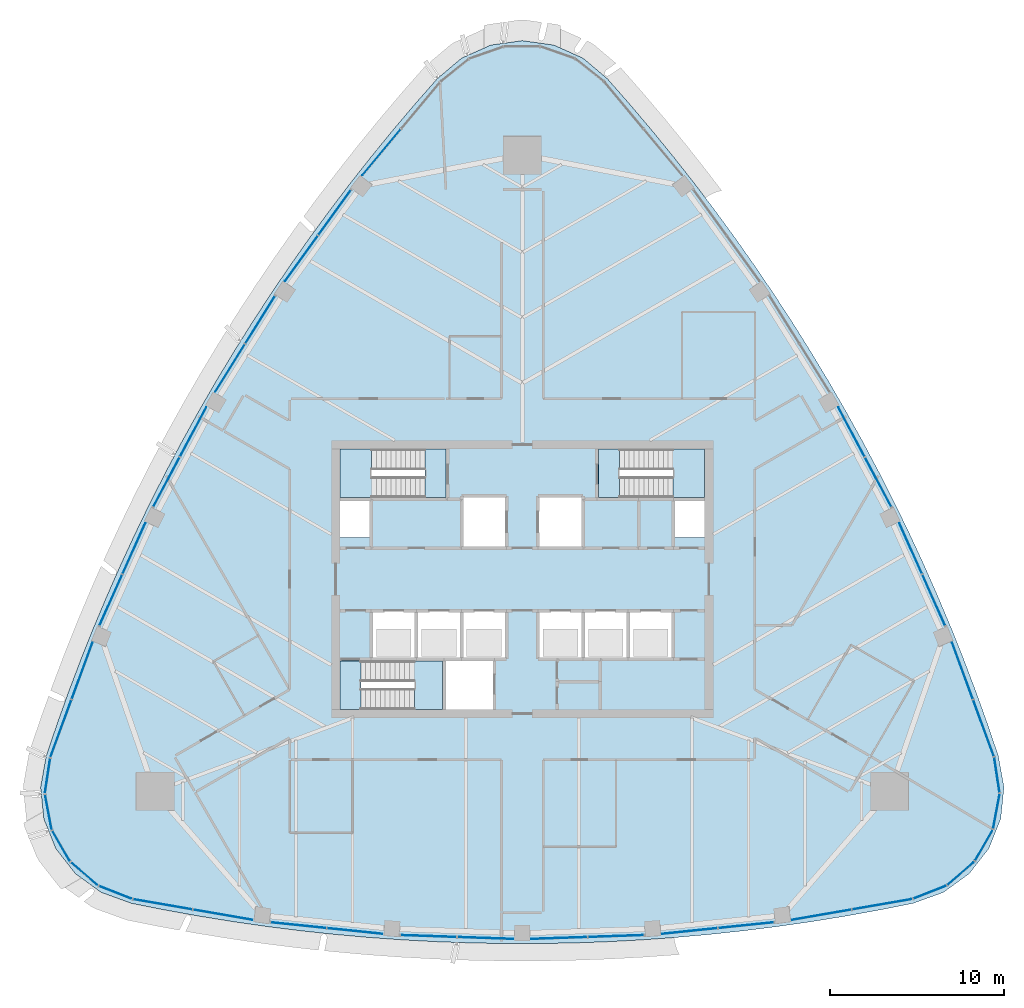
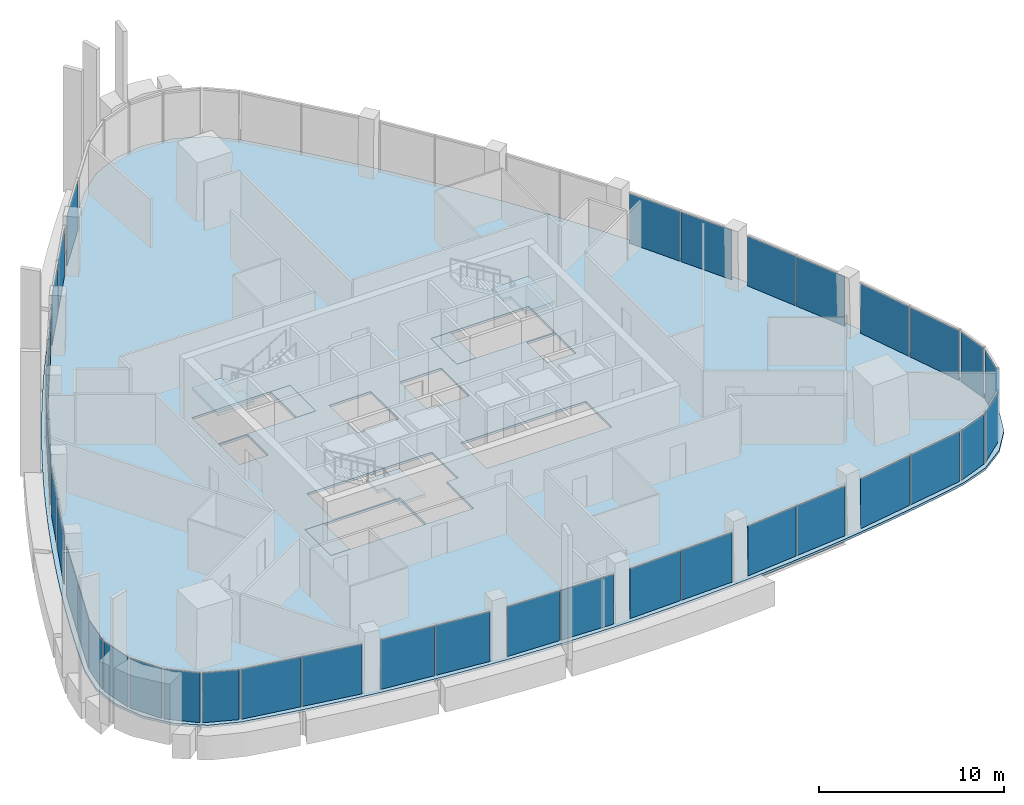
# One storey, part 7 of 16: 39 plates, 7 slabs, 28 elements without a shape of their own.
"""IFC4 building model written with IfcOpenShell, lengths in metres."""

from ifc_helpers import new_model, si_unit, direction, frame, origin, origin_2d, place, context, subcontext, project, spatial, polyline, rectangle, outline, extrude, material, layer, layer_set, type_object, element, aggregate, save


model = new_model("IFC4")

# Units and contexts
model_context = context("Model", 3, precision=1e-05, world=origin(), true_north=direction((0.0, 1.0)))
body_context = subcontext(model_context, "Body", "Model", "MODEL_VIEW")
ifc_project = project(units=[si_unit("LENGTHUNIT", "METRE"), si_unit("AREAUNIT", "SQUARE_METRE"), si_unit("VOLUMEUNIT", "CUBIC_METRE"), si_unit("PLANEANGLEUNIT", "RADIAN"), si_unit("MASSUNIT", "GRAM", prefix="KILO")], contexts=[model_context])

# Site, building, storey
site_placement = place(None, origin())
site = spatial("IfcSite", under=ifc_project, at=site_placement, CompositionType="ELEMENT")
building_placement = place(site_placement, origin())
building = spatial("IfcBuilding", under=site, at=building_placement, Name="Sierra Prisma Convention Tower", CompositionType="ELEMENT")
storey_placement = place(building_placement, frame((0.0, 0.0, 271.0)))
storey = spatial("IfcBuildingStorey", under=building, at=storey_placement, Name="L61", CompositionType="ELEMENT", Elevation=271.0)

# Curtain wall, plates
ifc_material_1 = material(Name="Aluminium and glass curtain wall", Category="aluminium")
ifc_layer_1 = layer(ifc_material_1, 0.179931640625)
ifc_layer_set_1 = layer_set([ifc_layer_1], Name="CW-1 Plain shaft curtain wall")
curtain_wall_type = type_object("IfcCurtainWallType", Name="CW-1 Plain shaft curtain wall", PredefinedType="NOTDEFINED", material=ifc_layer_set_1)
curtain_wall_1_placement = place(storey_placement, origin())
curtain_wall_1 = element("IfcCurtainWall", 1, at=curtain_wall_1_placement, inside=storey, type_object=curtain_wall_type, Name="CW-1 S1 L61", PredefinedType="NOTDEFINED")
ifc_material_2 = material(Name="Tinted glass bronze-grey IGU", Category="glass")
ifc_layer_2 = layer(ifc_material_2, 0.028076171875)
ifc_layer_set_2 = layer_set([ifc_layer_2], Name="CW-1 glass panel")
plate_type = type_object("IfcPlateType", Name="CW-1 glass panel", PredefinedType="CURTAIN_PANEL", material=ifc_layer_set_2)
plate_1_placement = place(storey_placement, frame((-20.705810546875, -18.720703125, 0.0), z_axis=(0.0, 0.0, 1.0), x_axis=(0.985325957492, -0.170683207997, 0.0)))
plate_1 = element("IfcPlate", 2, at=plate_1_placement, type_object=plate_type, Name="CW-1 panel S1.1", PredefinedType="CURTAIN_PANEL", context=body_context, shape_type="SweptSolid", body=[
    extrude(rectangle(XDim=3.44091796875, YDim=0.028076171875, at=origin_2d()), origin(), (0.0, 0.0, 1.0), 3.280029296875),
])
plate_2_placement = place(storey_placement, frame((-17.246337890625, -19.31982421875, 0.0), z_axis=(0.0, 0.0, 1.0), x_axis=(0.985325957492, -0.170683207997, 0.0)))
plate_2 = element("IfcPlate", 3, at=plate_2_placement, type_object=plate_type, Name="CW-1 panel S1.2", PredefinedType="CURTAIN_PANEL", context=body_context, shape_type="SweptSolid", body=[
    extrude(rectangle(XDim=3.44091796875, YDim=0.028076171875, at=origin_2d()), origin(), (0.0, 0.0, 1.0), 3.280029296875),
])
aggregate(curtain_wall_1, [plate_1, plate_2])

curtain_wall_2_placement = place(storey_placement, origin())
curtain_wall_2 = element("IfcCurtainWall", 4, at=curtain_wall_2_placement, inside=storey, type_object=curtain_wall_type, Name="CW-1 S2 L61", PredefinedType="NOTDEFINED")
plate_3_placement = place(storey_placement, frame((-12.889404296875, -19.92431640625, 0.0), z_axis=(0.0, 0.0, 1.0), x_axis=(0.994709046542, -0.102732238011, 0.0)))
plate_3 = element("IfcPlate", 5, at=plate_3_placement, type_object=plate_type, Name="CW-1 panel S2.1", PredefinedType="CURTAIN_PANEL", context=body_context, shape_type="SweptSolid", body=[
    extrude(rectangle(XDim=3.19384765625, YDim=0.028076171875, at=origin_2d()), origin(), (0.0, 0.0, 1.0), 3.280029296875),
])
plate_4_placement = place(storey_placement, frame((-9.642822265625, -20.259521484375, 0.0), z_axis=(0.0, 0.0, 1.0), x_axis=(0.994709046542, -0.102732238011, 0.0)))
plate_4 = element("IfcPlate", 6, at=plate_4_placement, type_object=plate_type, Name="CW-1 panel S2.2", PredefinedType="CURTAIN_PANEL", context=body_context, shape_type="SweptSolid", body=[
    extrude(rectangle(XDim=3.19384765625, YDim=0.028076171875, at=origin_2d()), origin(), (0.0, 0.0, 1.0), 3.280029296875),
])
aggregate(curtain_wall_2, [plate_3, plate_4])

curtain_wall_3_placement = place(storey_placement, origin())
curtain_wall_3 = element("IfcCurtainWall", 7, at=curtain_wall_3_placement, inside=storey, type_object=curtain_wall_type, Name="CW-1 S3 L61", PredefinedType="NOTDEFINED")
plate_5_placement = place(storey_placement, frame((-5.4013671875, -20.55029296875, 0.0), z_axis=(0.0, 0.0, 1.0), x_axis=(0.999411654839, -0.034297874149, 0.0)))
plate_5 = element("IfcPlate", 8, at=plate_5_placement, type_object=plate_type, Name="CW-1 panel S3.1", PredefinedType="CURTAIN_PANEL", context=body_context, shape_type="SweptSolid", body=[
    extrude(rectangle(XDim=3.209716796875, YDim=0.028076171875, at=origin_2d()), origin(), (0.0, 0.0, 1.0), 3.280029296875),
])
plate_6_placement = place(storey_placement, frame((-2.12353515625, -20.662841796875, 0.0), z_axis=(0.0, 0.0, 1.0), x_axis=(0.999411654839, -0.034297874149, 0.0)))
plate_6 = element("IfcPlate", 9, at=plate_6_placement, type_object=plate_type, Name="CW-1 panel S3.2", PredefinedType="CURTAIN_PANEL", context=body_context, shape_type="SweptSolid", body=[
    extrude(rectangle(XDim=3.209716796875, YDim=0.028076171875, at=origin_2d()), origin(), (0.0, 0.0, 1.0), 3.280029296875),
])
aggregate(curtain_wall_3, [plate_5, plate_6])

curtain_wall_4_placement = place(storey_placement, origin())
curtain_wall_4 = element("IfcCurtainWall", 10, at=curtain_wall_4_placement, inside=storey, type_object=curtain_wall_type, Name="CW-1 S4 L61", PredefinedType="NOTDEFINED")
plate_7_placement = place(storey_placement, frame((2.12353515625, -20.662841796875, 0.0), z_axis=(0.0, 0.0, 1.0), x_axis=(0.999411654839, 0.034297874149, 0.0)))
plate_7 = element("IfcPlate", 11, at=plate_7_placement, type_object=plate_type, Name="CW-1 panel S4.1", PredefinedType="CURTAIN_PANEL", context=body_context, shape_type="SweptSolid", body=[
    extrude(rectangle(XDim=3.209716796875, YDim=0.028076171875, at=origin_2d()), origin(), (0.0, 0.0, 1.0), 3.280029296875),
])
plate_8_placement = place(storey_placement, frame((5.4013671875, -20.55029296875, 0.0), z_axis=(0.0, 0.0, 1.0), x_axis=(0.999411654839, 0.034297874149, 0.0)))
plate_8 = element("IfcPlate", 12, at=plate_8_placement, type_object=plate_type, Name="CW-1 panel S4.2", PredefinedType="CURTAIN_PANEL", context=body_context, shape_type="SweptSolid", body=[
    extrude(rectangle(XDim=3.209716796875, YDim=0.028076171875, at=origin_2d()), origin(), (0.0, 0.0, 1.0), 3.280029296875),
])
aggregate(curtain_wall_4, [plate_7, plate_8])

curtain_wall_5_placement = place(storey_placement, origin())
curtain_wall_5 = element("IfcCurtainWall", 13, at=curtain_wall_5_placement, inside=storey, type_object=curtain_wall_type, Name="CW-1 S5 L61", PredefinedType="NOTDEFINED")
plate_9_placement = place(storey_placement, frame((9.642822265625, -20.259521484375, 0.0), z_axis=(0.0, 0.0, 1.0), x_axis=(0.994709046542, 0.102732238011, 0.0)))
plate_9 = element("IfcPlate", 14, at=plate_9_placement, type_object=plate_type, Name="CW-1 panel S5.1", PredefinedType="CURTAIN_PANEL", context=body_context, shape_type="SweptSolid", body=[
    extrude(rectangle(XDim=3.19384765625, YDim=0.028076171875, at=origin_2d()), origin(), (0.0, 0.0, 1.0), 3.280029296875),
])
plate_10_placement = place(storey_placement, frame((12.889404296875, -19.92431640625, 0.0), z_axis=(0.0, 0.0, 1.0), x_axis=(0.994709046542, 0.102732238011, 0.0)))
plate_10 = element("IfcPlate", 15, at=plate_10_placement, type_object=plate_type, Name="CW-1 panel S5.2", PredefinedType="CURTAIN_PANEL", context=body_context, shape_type="SweptSolid", body=[
    extrude(rectangle(XDim=3.19384765625, YDim=0.028076171875, at=origin_2d()), origin(), (0.0, 0.0, 1.0), 3.280029296875),
])
aggregate(curtain_wall_5, [plate_9, plate_10])

curtain_wall_6_placement = place(storey_placement, origin())
curtain_wall_6 = element("IfcCurtainWall", 16, at=curtain_wall_6_placement, inside=storey, type_object=curtain_wall_type, Name="CW-1 S6 L61", PredefinedType="NOTDEFINED")
plate_11_placement = place(storey_placement, frame((17.246337890625, -19.31982421875, 0.0), z_axis=(0.0, 0.0, 1.0), x_axis=(0.985325957492, 0.170683207997, 0.0)))
plate_11 = element("IfcPlate", 17, at=plate_11_placement, type_object=plate_type, Name="CW-1 panel S6.1", PredefinedType="CURTAIN_PANEL", context=body_context, shape_type="SweptSolid", body=[
    extrude(rectangle(XDim=3.44091796875, YDim=0.028076171875, at=origin_2d()), origin(), (0.0, 0.0, 1.0), 3.280029296875),
])
plate_12_placement = place(storey_placement, frame((20.705810546875, -18.720703125, 0.0), z_axis=(0.0, 0.0, 1.0), x_axis=(0.985325957492, 0.170683207997, 0.0)))
plate_12 = element("IfcPlate", 18, at=plate_12_placement, type_object=plate_type, Name="CW-1 panel S6.2", PredefinedType="CURTAIN_PANEL", context=body_context, shape_type="SweptSolid", body=[
    extrude(rectangle(XDim=3.44091796875, YDim=0.028076171875, at=origin_2d()), origin(), (0.0, 0.0, 1.0), 3.280029296875),
])
aggregate(curtain_wall_6, [plate_11, plate_12])

# Curtain wall, plate
curtain_wall_7_placement = place(storey_placement, origin())
curtain_wall_7 = element("IfcCurtainWall", 19, at=curtain_wall_7_placement, inside=storey, type_object=curtain_wall_type, Name="CW-1 SE1 L61", PredefinedType="NOTDEFINED")
plate_13_placement = place(storey_placement, frame((23.455322265625, -18.028076171875, 0.0), z_axis=(0.0, 0.0, 1.0), x_axis=(0.930836305554, 0.365436413434, 0.0)))
plate_13 = element("IfcPlate", 20, at=plate_13_placement, type_object=plate_type, Name="CW-1 panel SE1.1", PredefinedType="CURTAIN_PANEL", context=body_context, shape_type="SweptSolid", body=[
    extrude(rectangle(XDim=1.9775390625, YDim=0.028076171875, at=origin_2d()), origin(), (0.0, 0.0, 1.0), 3.280029296875),
])
aggregate(curtain_wall_7, [plate_13])

curtain_wall_8_placement = place(storey_placement, origin())
curtain_wall_8 = element("IfcCurtainWall", 21, at=curtain_wall_8_placement, inside=storey, type_object=curtain_wall_type, Name="CW-1 SE2 L61", PredefinedType="NOTDEFINED")
plate_14_placement = place(storey_placement, frame((25.2431640625, -16.95068359375, 0.0), z_axis=(0.0, 0.0, 1.0), x_axis=(0.757938300686, 0.652326246869, 0.0)))
plate_14 = element("IfcPlate", 22, at=plate_14_placement, type_object=plate_type, Name="CW-1 panel SE2.1", PredefinedType="CURTAIN_PANEL", context=body_context, shape_type="SweptSolid", body=[
    extrude(rectangle(XDim=1.9775390625, YDim=0.028076171875, at=origin_2d()), origin(), (0.0, 0.0, 1.0), 3.280029296875),
])
aggregate(curtain_wall_8, [plate_14])

curtain_wall_9_placement = place(storey_placement, origin())
curtain_wall_9 = element("IfcCurtainWall", 23, at=curtain_wall_9_placement, inside=storey, type_object=curtain_wall_type, Name="CW-1 SE3 L61", PredefinedType="NOTDEFINED")
plate_15_placement = place(storey_placement, frame((26.5751953125, -15.343017578125, 0.0), z_axis=(0.0, 0.0, 1.0), x_axis=(0.5, 0.866025403784, 0.0)))
plate_15 = element("IfcPlate", 24, at=plate_15_placement, type_object=plate_type, Name="CW-1 panel SE3.1", PredefinedType="CURTAIN_PANEL", context=body_context, shape_type="SweptSolid", body=[
    extrude(rectangle(XDim=1.9775390625, YDim=0.028076171875, at=origin_2d()), origin(), (0.0, 0.0, 1.0), 3.280029296875),
])
aggregate(curtain_wall_9, [plate_15])

curtain_wall_10_placement = place(storey_placement, origin())
curtain_wall_10 = element("IfcCurtainWall", 25, at=curtain_wall_10_placement, inside=storey, type_object=curtain_wall_type, Name="CW-1 SE4 L61", PredefinedType="NOTDEFINED")
plate_16_placement = place(storey_placement, frame((27.30126953125, -13.385986328125, 0.0), z_axis=(0.0, 0.0, 1.0), x_axis=(0.185961951001, 0.982556946329, 0.0)))
plate_16 = element("IfcPlate", 26, at=plate_16_placement, type_object=plate_type, Name="CW-1 panel SE4.1", PredefinedType="CURTAIN_PANEL", context=body_context, shape_type="SweptSolid", body=[
    extrude(rectangle(XDim=1.9775390625, YDim=0.028076171875, at=origin_2d()), origin(), (0.0, 0.0, 1.0), 3.280029296875),
])
aggregate(curtain_wall_10, [plate_16])

curtain_wall_11_placement = place(storey_placement, origin())
curtain_wall_11 = element("IfcCurtainWall", 27, at=curtain_wall_11_placement, inside=storey, type_object=curtain_wall_type, Name="CW-1 SE5 L61", PredefinedType="NOTDEFINED")
plate_17_placement = place(storey_placement, frame((27.340576171875, -11.298828125, 0.0), z_axis=(0.0, 0.0, 1.0), x_axis=(-0.148940935275, 0.988846094091, 0.0)))
plate_17 = element("IfcPlate", 28, at=plate_17_placement, type_object=plate_type, Name="CW-1 panel SE5.1", PredefinedType="CURTAIN_PANEL", context=body_context, shape_type="SweptSolid", body=[
    extrude(rectangle(XDim=1.9775390625, YDim=0.028076171875, at=origin_2d()), origin(), (0.0, 0.0, 1.0), 3.280029296875),
])
aggregate(curtain_wall_11, [plate_17])

# Curtain wall, plates
curtain_wall_12_placement = place(storey_placement, origin())
curtain_wall_12 = element("IfcCurtainWall", 29, at=curtain_wall_12_placement, inside=storey, type_object=curtain_wall_type, Name="CW-1 NE1 L61", PredefinedType="NOTDEFINED")
plate_18_placement = place(storey_placement, frame((26.5654296875, -8.5712890625, 0.0), z_axis=(0.0, 0.0, 1.0), x_axis=(-0.344846984621, 0.938658914195, 0.0)))
plate_18 = element("IfcPlate", 30, at=plate_18_placement, type_object=plate_type, Name="CW-1 panel NE1.1", PredefinedType="CURTAIN_PANEL", context=body_context, shape_type="SweptSolid", body=[
    extrude(rectangle(XDim=3.44091796875, YDim=0.028076171875, at=origin_2d()), origin(), (0.0, 0.0, 1.0), 3.280029296875),
])
plate_19_placement = place(storey_placement, frame((25.354736328125, -5.27587890625, 0.0), z_axis=(0.0, 0.0, 1.0), x_axis=(-0.344846984621, 0.938658914195, 0.0)))
plate_19 = element("IfcPlate", 31, at=plate_19_placement, type_object=plate_type, Name="CW-1 panel NE1.2", PredefinedType="CURTAIN_PANEL", context=body_context, shape_type="SweptSolid", body=[
    extrude(rectangle(XDim=3.44091796875, YDim=0.028076171875, at=origin_2d()), origin(), (0.0, 0.0, 1.0), 3.280029296875),
])
aggregate(curtain_wall_12, [plate_18, plate_19])

curtain_wall_13_placement = place(storey_placement, origin())
curtain_wall_13 = element("IfcCurtainWall", 32, at=curtain_wall_13_placement, inside=storey, type_object=curtain_wall_type, Name="CW-1 NE2 L61", PredefinedType="NOTDEFINED")
plate_20_placement = place(storey_placement, frame((23.69970703125, -1.20068359375, 0.0), z_axis=(0.0, 0.0, 1.0), x_axis=(-0.408385795366, 0.912809422686, 0.0)))
plate_20 = element("IfcPlate", 33, at=plate_20_placement, type_object=plate_type, Name="CW-1 panel NE2.1", PredefinedType="CURTAIN_PANEL", context=body_context, shape_type="SweptSolid", body=[
    extrude(rectangle(XDim=3.19384765625, YDim=0.028076171875, at=origin_2d()), origin(), (0.0, 0.0, 1.0), 3.280029296875),
])
plate_21_placement = place(storey_placement, frame((22.36669921875, 1.77880859375, 0.0), z_axis=(0.0, 0.0, 1.0), x_axis=(-0.408385795366, 0.912809422686, 0.0)))
plate_21 = element("IfcPlate", 34, at=plate_21_placement, type_object=plate_type, Name="CW-1 panel NE2.2", PredefinedType="CURTAIN_PANEL", context=body_context, shape_type="SweptSolid", body=[
    extrude(rectangle(XDim=3.19384765625, YDim=0.028076171875, at=origin_2d()), origin(), (0.0, 0.0, 1.0), 3.280029296875),
])
aggregate(curtain_wall_13, [plate_20, plate_21])

curtain_wall_14_placement = place(storey_placement, origin())
curtain_wall_14 = element("IfcCurtainWall", 35, at=curtain_wall_14_placement, inside=storey, type_object=curtain_wall_type, Name="CW-1 NE3 L61", PredefinedType="NOTDEFINED")
plate_22_placement = place(storey_placement, frame((20.497802734375, 5.597412109375, 0.0), z_axis=(0.0, 0.0, 1.0), x_axis=(-0.470002997111, 0.882664819004, 0.0)))
plate_22 = element("IfcPlate", 36, at=plate_22_placement, type_object=plate_type, Name="CW-1 panel NE3.1", PredefinedType="CURTAIN_PANEL", context=body_context, shape_type="SweptSolid", body=[
    extrude(rectangle(XDim=3.209716796875, YDim=0.028076171875, at=origin_2d()), origin(), (0.0, 0.0, 1.0), 3.280029296875),
])
plate_23_placement = place(storey_placement, frame((18.956298828125, 8.4921875, 0.0), z_axis=(0.0, 0.0, 1.0), x_axis=(-0.470002997111, 0.882664819004, 0.0)))
plate_23 = element("IfcPlate", 37, at=plate_23_placement, type_object=plate_type, Name="CW-1 panel NE3.2", PredefinedType="CURTAIN_PANEL", context=body_context, shape_type="SweptSolid", body=[
    extrude(rectangle(XDim=3.209716796875, YDim=0.028076171875, at=origin_2d()), origin(), (0.0, 0.0, 1.0), 3.280029296875),
])
aggregate(curtain_wall_14, [plate_22, plate_23])

# Curtain wall, plate
curtain_wall_15_placement = place(storey_placement, origin())
curtain_wall_15 = element("IfcCurtainWall", 38, at=curtain_wall_15_placement, inside=storey, type_object=curtain_wall_type, Name="CW-1 NW1 L61", PredefinedType="NOTDEFINED")
plate_24_placement = place(storey_placement, frame((-8.1083984375, 24.595703125, 0.0), z_axis=(0.0, 0.0, 1.0), x_axis=(-0.640478972871, -0.767975706198, 0.0)))
plate_24 = element("IfcPlate", 39, at=plate_24_placement, type_object=plate_type, Name="CW-1 panel NW1.2", PredefinedType="CURTAIN_PANEL", context=body_context, shape_type="SweptSolid", body=[
    extrude(rectangle(XDim=3.44091796875, YDim=0.028076171875, at=origin_2d()), origin(), (0.0, 0.0, 1.0), 3.280029296875),
])
aggregate(curtain_wall_15, [plate_24])

# Curtain wall, plates
curtain_wall_16_placement = place(storey_placement, origin())
curtain_wall_16 = element("IfcCurtainWall", 40, at=curtain_wall_16_placement, inside=storey, type_object=curtain_wall_type, Name="CW-1 NW2 L61", PredefinedType="NOTDEFINED")
plate_25_placement = place(storey_placement, frame((-10.810302734375, 21.124755859375, 0.0), z_axis=(0.0, 0.0, 1.0), x_axis=(-0.586323251177, -0.810077184674, 0.0)))
plate_25 = element("IfcPlate", 41, at=plate_25_placement, type_object=plate_type, Name="CW-1 panel NW2.1", PredefinedType="CURTAIN_PANEL", context=body_context, shape_type="SweptSolid", body=[
    extrude(rectangle(XDim=3.19384765625, YDim=0.028076171875, at=origin_2d()), origin(), (0.0, 0.0, 1.0), 3.280029296875),
])
plate_26_placement = place(storey_placement, frame((-12.723876953125, 18.480712890625, 0.0), z_axis=(0.0, 0.0, 1.0), x_axis=(-0.586323251177, -0.810077184674, 0.0)))
plate_26 = element("IfcPlate", 42, at=plate_26_placement, type_object=plate_type, Name="CW-1 panel NW2.2", PredefinedType="CURTAIN_PANEL", context=body_context, shape_type="SweptSolid", body=[
    extrude(rectangle(XDim=3.19384765625, YDim=0.028076171875, at=origin_2d()), origin(), (0.0, 0.0, 1.0), 3.280029296875),
])
aggregate(curtain_wall_16, [plate_25, plate_26])

curtain_wall_17_placement = place(storey_placement, origin())
curtain_wall_17 = element("IfcCurtainWall", 43, at=curtain_wall_17_placement, inside=storey, type_object=curtain_wall_type, Name="CW-1 NW3 L61", PredefinedType="NOTDEFINED")
plate_27_placement = place(storey_placement, frame((-15.096435546875, 14.952880859375, 0.0), z_axis=(0.0, 0.0, 1.0), x_axis=(-0.529408657728, -0.848366944855, 0.0)))
plate_27 = element("IfcPlate", 44, at=plate_27_placement, type_object=plate_type, Name="CW-1 panel NW3.1", PredefinedType="CURTAIN_PANEL", context=body_context, shape_type="SweptSolid", body=[
    extrude(rectangle(XDim=3.209716796875, YDim=0.028076171875, at=origin_2d()), origin(), (0.0, 0.0, 1.0), 3.280029296875),
])
plate_28_placement = place(storey_placement, frame((-16.832763671875, 12.17041015625, 0.0), z_axis=(0.0, 0.0, 1.0), x_axis=(-0.529408657728, -0.848366944855, 0.0)))
plate_28 = element("IfcPlate", 45, at=plate_28_placement, type_object=plate_type, Name="CW-1 panel NW3.2", PredefinedType="CURTAIN_PANEL", context=body_context, shape_type="SweptSolid", body=[
    extrude(rectangle(XDim=3.209716796875, YDim=0.028076171875, at=origin_2d()), origin(), (0.0, 0.0, 1.0), 3.280029296875),
])
aggregate(curtain_wall_17, [plate_27, plate_28])

curtain_wall_18_placement = place(storey_placement, origin())
curtain_wall_18 = element("IfcCurtainWall", 46, at=curtain_wall_18_placement, inside=storey, type_object=curtain_wall_type, Name="CW-1 NW4 L61", PredefinedType="NOTDEFINED")
plate_29_placement = place(storey_placement, frame((-18.956298828125, 8.492431640625, 0.0), z_axis=(0.0, 0.0, 1.0), x_axis=(-0.470002997111, -0.882664819004, 0.0)))
plate_29 = element("IfcPlate", 47, at=plate_29_placement, type_object=plate_type, Name="CW-1 panel NW4.1", PredefinedType="CURTAIN_PANEL", context=body_context, shape_type="SweptSolid", body=[
    extrude(rectangle(XDim=3.209716796875, YDim=0.028076171875, at=origin_2d()), origin(), (0.0, 0.0, 1.0), 3.280029296875),
])
plate_30_placement = place(storey_placement, frame((-20.497802734375, 5.597412109375, 0.0), z_axis=(0.0, 0.0, 1.0), x_axis=(-0.470002997111, -0.882664819004, 0.0)))
plate_30 = element("IfcPlate", 48, at=plate_30_placement, type_object=plate_type, Name="CW-1 panel NW4.2", PredefinedType="CURTAIN_PANEL", context=body_context, shape_type="SweptSolid", body=[
    extrude(rectangle(XDim=3.209716796875, YDim=0.028076171875, at=origin_2d()), origin(), (0.0, 0.0, 1.0), 3.280029296875),
])
aggregate(curtain_wall_18, [plate_29, plate_30])

curtain_wall_19_placement = place(storey_placement, origin())
curtain_wall_19 = element("IfcCurtainWall", 49, at=curtain_wall_19_placement, inside=storey, type_object=curtain_wall_type, Name="CW-1 NW5 L61", PredefinedType="NOTDEFINED")
plate_31_placement = place(storey_placement, frame((-22.36669921875, 1.77880859375, 0.0), z_axis=(0.0, 0.0, 1.0), x_axis=(-0.408385795366, -0.912809422686, 0.0)))
plate_31 = element("IfcPlate", 50, at=plate_31_placement, type_object=plate_type, Name="CW-1 panel NW5.1", PredefinedType="CURTAIN_PANEL", context=body_context, shape_type="SweptSolid", body=[
    extrude(rectangle(XDim=3.19384765625, YDim=0.028076171875, at=origin_2d()), origin(), (0.0, 0.0, 1.0), 3.280029296875),
])
plate_32_placement = place(storey_placement, frame((-23.69970703125, -1.200439453125, 0.0), z_axis=(0.0, 0.0, 1.0), x_axis=(-0.408385795366, -0.912809422686, 0.0)))
plate_32 = element("IfcPlate", 51, at=plate_32_placement, type_object=plate_type, Name="CW-1 panel NW5.2", PredefinedType="CURTAIN_PANEL", context=body_context, shape_type="SweptSolid", body=[
    extrude(rectangle(XDim=3.19384765625, YDim=0.028076171875, at=origin_2d()), origin(), (0.0, 0.0, 1.0), 3.280029296875),
])
aggregate(curtain_wall_19, [plate_31, plate_32])

curtain_wall_20_placement = place(storey_placement, origin())
curtain_wall_20 = element("IfcCurtainWall", 52, at=curtain_wall_20_placement, inside=storey, type_object=curtain_wall_type, Name="CW-1 NW6 L61", PredefinedType="NOTDEFINED")
plate_33_placement = place(storey_placement, frame((-25.354736328125, -5.27587890625, 0.0), z_axis=(0.0, 0.0, 1.0), x_axis=(-0.344846984621, -0.938658914195, 0.0)))
plate_33 = element("IfcPlate", 53, at=plate_33_placement, type_object=plate_type, Name="CW-1 panel NW6.1", PredefinedType="CURTAIN_PANEL", context=body_context, shape_type="SweptSolid", body=[
    extrude(rectangle(XDim=3.44091796875, YDim=0.028076171875, at=origin_2d()), origin(), (0.0, 0.0, 1.0), 3.280029296875),
])
plate_34_placement = place(storey_placement, frame((-26.5654296875, -8.5712890625, 0.0), z_axis=(0.0, 0.0, 1.0), x_axis=(-0.344846984621, -0.938658914195, 0.0)))
plate_34 = element("IfcPlate", 54, at=plate_34_placement, type_object=plate_type, Name="CW-1 panel NW6.2", PredefinedType="CURTAIN_PANEL", context=body_context, shape_type="SweptSolid", body=[
    extrude(rectangle(XDim=3.44091796875, YDim=0.028076171875, at=origin_2d()), origin(), (0.0, 0.0, 1.0), 3.280029296875),
])
aggregate(curtain_wall_20, [plate_33, plate_34])

# Curtain wall, plate
curtain_wall_21_placement = place(storey_placement, origin())
curtain_wall_21 = element("IfcCurtainWall", 55, at=curtain_wall_21_placement, inside=storey, type_object=curtain_wall_type, Name="CW-1 SW1 L61", PredefinedType="NOTDEFINED")
plate_35_placement = place(storey_placement, frame((-27.340576171875, -11.298828125, 0.0), z_axis=(0.0, 0.0, 1.0), x_axis=(-0.148940935275, -0.988846094091, 0.0)))
plate_35 = element("IfcPlate", 56, at=plate_35_placement, type_object=plate_type, Name="CW-1 panel SW1.1", PredefinedType="CURTAIN_PANEL", context=body_context, shape_type="SweptSolid", body=[
    extrude(rectangle(XDim=1.9775390625, YDim=0.028076171875, at=origin_2d()), origin(), (0.0, 0.0, 1.0), 3.280029296875),
])
aggregate(curtain_wall_21, [plate_35])

curtain_wall_22_placement = place(storey_placement, origin())
curtain_wall_22 = element("IfcCurtainWall", 57, at=curtain_wall_22_placement, inside=storey, type_object=curtain_wall_type, Name="CW-1 SW2 L61", PredefinedType="NOTDEFINED")
plate_36_placement = place(storey_placement, frame((-27.30126953125, -13.385986328125, 0.0), z_axis=(0.0, 0.0, 1.0), x_axis=(0.185961951001, -0.982556946329, 0.0)))
plate_36 = element("IfcPlate", 58, at=plate_36_placement, type_object=plate_type, Name="CW-1 panel SW2.1", PredefinedType="CURTAIN_PANEL", context=body_context, shape_type="SweptSolid", body=[
    extrude(rectangle(XDim=1.9775390625, YDim=0.028076171875, at=origin_2d()), origin(), (0.0, 0.0, 1.0), 3.280029296875),
])
aggregate(curtain_wall_22, [plate_36])

curtain_wall_23_placement = place(storey_placement, origin())
curtain_wall_23 = element("IfcCurtainWall", 59, at=curtain_wall_23_placement, inside=storey, type_object=curtain_wall_type, Name="CW-1 SW3 L61", PredefinedType="NOTDEFINED")
plate_37_placement = place(storey_placement, frame((-26.5751953125, -15.343017578125, 0.0), z_axis=(0.0, 0.0, 1.0), x_axis=(0.5, -0.866025403784, 0.0)))
plate_37 = element("IfcPlate", 60, at=plate_37_placement, type_object=plate_type, Name="CW-1 panel SW3.1", PredefinedType="CURTAIN_PANEL", context=body_context, shape_type="SweptSolid", body=[
    extrude(rectangle(XDim=1.9775390625, YDim=0.028076171875, at=origin_2d()), origin(), (0.0, 0.0, 1.0), 3.280029296875),
])
aggregate(curtain_wall_23, [plate_37])

curtain_wall_24_placement = place(storey_placement, origin())
curtain_wall_24 = element("IfcCurtainWall", 61, at=curtain_wall_24_placement, inside=storey, type_object=curtain_wall_type, Name="CW-1 SW4 L61", PredefinedType="NOTDEFINED")
plate_38_placement = place(storey_placement, frame((-25.2431640625, -16.95068359375, 0.0), z_axis=(0.0, 0.0, 1.0), x_axis=(0.757938300686, -0.652326246869, 0.0)))
plate_38 = element("IfcPlate", 62, at=plate_38_placement, type_object=plate_type, Name="CW-1 panel SW4.1", PredefinedType="CURTAIN_PANEL", context=body_context, shape_type="SweptSolid", body=[
    extrude(rectangle(XDim=1.9775390625, YDim=0.028076171875, at=origin_2d()), origin(), (0.0, 0.0, 1.0), 3.280029296875),
])
aggregate(curtain_wall_24, [plate_38])

curtain_wall_25_placement = place(storey_placement, origin())
curtain_wall_25 = element("IfcCurtainWall", 63, at=curtain_wall_25_placement, inside=storey, type_object=curtain_wall_type, Name="CW-1 SW5 L61", PredefinedType="NOTDEFINED")
plate_39_placement = place(storey_placement, frame((-23.455322265625, -18.028076171875, 0.0), z_axis=(0.0, 0.0, 1.0), x_axis=(0.930836305554, -0.365436413434, 0.0)))
plate_39 = element("IfcPlate", 64, at=plate_39_placement, type_object=plate_type, Name="CW-1 panel SW5.1", PredefinedType="CURTAIN_PANEL", context=body_context, shape_type="SweptSolid", body=[
    extrude(rectangle(XDim=1.9775390625, YDim=0.028076171875, at=origin_2d()), origin(), (0.0, 0.0, 1.0), 3.280029296875),
])
aggregate(curtain_wall_25, [plate_39])

# Slab
ifc_material_3 = material(Name="Concrete C35/45", Category="concrete")
ifc_layer_3 = layer(ifc_material_3, 0.14990234375)
ifc_layer_set_3 = layer_set([ifc_layer_3], Name="Composite floor slab 150")
slab_type_1 = type_object("IfcSlabType", Name="Composite floor slab 150", PredefinedType="FLOOR", material=ifc_layer_set_3)
slab_1_placement = place(storey_placement, frame((0.0, 0.0, -0.14990234375)))
element("IfcSlab", 65, at=slab_1_placement, inside=storey, type_object=slab_type_1, Name="Floor slab L61 floor", PredefinedType="FLOOR", context=body_context, shape_type="SweptSolid", body=[
    extrude(outline(polyline([(-22.52099609375, -18.65966796875), (-20.5869140625, -19.045654296875), (-18.646240234375, -19.396728515625), (-16.699462890625, -19.712890625), (-14.747314453125, -19.994384765625), (-12.790771484375, -20.240966796875), (-10.829833984375, -20.4521484375), (-8.865478515625, -20.62841796875), (-6.8984375, -20.76953125), (-4.928955078125, -20.87548828125), (-2.9580078125, -20.946044921875), (-0.986083984375, -20.981201171875), (0.986083984375, -20.981201171875), (2.9580078125, -20.946044921875), (4.928955078125, -20.87548828125), (6.8984375, -20.76953125), (8.865478515625, -20.62841796875), (10.829833984375, -20.4521484375), (12.790771484375, -20.240966796875), (14.747314453125, -19.994384765625), (16.699462890625, -19.712890625), (18.646240234375, -19.396728515625), (20.5869140625, -19.045654296875), (22.52099609375, -18.65966796875), (24.2490234375, -18.03662109375), (25.737060546875, -16.959716796875), (26.868896484375, -15.5126953125), (27.555908203125, -13.80908203125), (27.74462890625, -11.98193359375), (27.42041015625, -10.173828125), (26.787353515625, -8.305908203125), (26.12109375, -6.44970703125), (25.421630859375, -4.605712890625), (24.689453125, -2.7744140625), (23.92431640625, -0.95654296875), (23.126953125, 0.84716796875), (22.297607421875, 2.636474609375), (21.43603515625, 4.41064453125), (20.543212890625, 6.169189453125), (19.61865234375, 7.911376953125), (18.663330078125, 9.63671875), (17.67724609375, 11.3447265625), (16.660888671875, 13.03466796875), (15.6142578125, 14.706298828125), (14.537841796875, 16.35888671875), (13.43212890625, 17.991943359375), (12.29736328125, 19.60498046875), (11.1337890625, 21.197509765625), (9.94189453125, 22.768798828125), (8.72216796875, 24.318603515625), (7.474853515625, 25.846435546875), (6.200439453125, 27.3515625), (4.8994140625, 28.83349609375), (3.495849609375, 30.0185546875), (1.81884765625, 30.768798828125), (0.0, 31.025634765625), (-1.81884765625, 30.768798828125), (-3.495849609375, 30.0185546875), (-4.8994140625, 28.83349609375), (-6.200439453125, 27.3515625), (-7.474853515625, 25.846435546875), (-8.72216796875, 24.318603515625), (-9.94189453125, 22.768798828125), (-11.1337890625, 21.197509765625), (-12.29736328125, 19.60498046875), (-13.43212890625, 17.991943359375), (-14.537841796875, 16.35888671875), (-15.6142578125, 14.706298828125), (-16.660888671875, 13.03466796875), (-17.67724609375, 11.3447265625), (-18.663330078125, 9.63671875), (-19.61865234375, 7.911376953125), (-20.543212890625, 6.169189453125), (-21.43603515625, 4.41064453125), (-22.297607421875, 2.636474609375), (-23.126953125, 0.84716796875), (-23.92431640625, -0.95654296875), (-24.689453125, -2.7744140625), (-25.421630859375, -4.605712890625), (-26.12109375, -6.44970703125), (-26.787353515625, -8.305908203125), (-27.42041015625, -10.173828125), (-27.74462890625, -11.98193359375), (-27.555908203125, -13.80908203125), (-26.868896484375, -15.5126953125), (-25.737060546875, -16.959716796875), (-24.2490234375, -18.03662109375), (-22.52099609375, -18.65966796875)]), holes=[polyline([(-4.60009765625, -4.699951171875), (-4.60009765625, -7.5), (-10.5, -7.5), (-10.5, -4.699951171875), (-4.60009765625, -4.699951171875)]), polyline([(-4.5, -7.5), (-4.5, -4.60009765625), (-6.10009765625, -4.60009765625), (-8.699951171875, -4.60009765625), (-8.699951171875, -1.800048828125), (-6.10009765625, -1.800048828125), (-3.5, -1.800048828125), (-0.89990234375, -1.800048828125), (-0.89990234375, -4.60009765625), (-1.60009765625, -4.60009765625), (-1.60009765625, -7.5), (-4.5, -7.5)]), polyline([(-8.699951171875, 2.39990234375), (-10.5, 2.39990234375), (-10.5, 4.60009765625), (-8.699951171875, 4.60009765625), (-8.699951171875, 2.39990234375)]), polyline([(-4.39990234375, 4.699951171875), (-10.5, 4.699951171875), (-10.5, 7.5), (-4.39990234375, 7.5), (-4.39990234375, 4.699951171875)]), polyline([(3.5, -1.800048828125), (6.10009765625, -1.800048828125), (8.699951171875, -1.800048828125), (8.699951171875, -4.60009765625), (6.10009765625, -4.60009765625), (3.5, -4.60009765625), (0.89990234375, -4.60009765625), (0.89990234375, -1.800048828125), (3.5, -1.800048828125)]), polyline([(-0.89990234375, 1.800048828125), (-3.5, 1.800048828125), (-3.5, 4.800048828125), (-0.89990234375, 4.800048828125), (-0.89990234375, 1.800048828125)]), polyline([(3.5, 1.800048828125), (0.89990234375, 1.800048828125), (0.89990234375, 4.800048828125), (3.5, 4.800048828125), (3.5, 1.800048828125)]), polyline([(10.5, 2.39990234375), (8.699951171875, 2.39990234375), (8.699951171875, 4.60009765625), (10.5, 4.60009765625), (10.5, 2.39990234375)]), polyline([(10.5, 4.699951171875), (4.39990234375, 4.699951171875), (4.39990234375, 7.5), (10.5, 7.5), (10.5, 4.699951171875)])]), origin(), (0.0, 0.0, 1.0), 0.14990234375),
])

# Stair, slab
ifc_material_4 = material(Name="Concrete C30/37", Category="concrete")
stair_type = type_object("IfcStairType", Name="Stair dog-leg 1200 RC", PredefinedType="HALF_TURN_STAIR", material=ifc_material_4)
stair_1_placement = place(storey_placement, origin())
stair_1 = element("IfcStair", 66, at=stair_1_placement, inside=storey, type_object=stair_type, Name="L61 S1", PredefinedType="HALF_TURN_STAIR")
ifc_material_5 = material(Name="Concrete C35/45", Category="concrete")
ifc_layer_4 = layer(ifc_material_5, 0.199951171875)
ifc_layer_set_4 = layer_set([ifc_layer_4], Name="Stair landing slab")
slab_type_2 = type_object("IfcSlabType", Name="Stair landing slab", PredefinedType="LANDING", material=ifc_layer_set_4)
slab_2_placement = place(storey_placement, frame((0.0, 0.0, 1.800048828125)))
slab_2 = element("IfcSlab", 67, at=slab_2_placement, type_object=slab_type_2, Name="S1 landing 1", PredefinedType="LANDING", context=body_context, shape_type="SweptSolid", body=[
    extrude(outline(polyline([(-4.60009765625, -4.699951171875), (-4.60009765625, -7.5), (-6.221923828125, -7.5), (-6.221923828125, -5.89990234375), (-6.669921875, -5.89990234375), (-6.669921875, -4.699951171875), (-4.60009765625, -4.699951171875)])), origin(), (0.0, 0.0, 1.0), 0.199951171875),
])
aggregate(stair_1, [slab_2])

# Slab
slab_3_placement = place(storey_placement, frame((0.0, 0.0, -0.199951171875)))
element("IfcSlab", 68, at=slab_3_placement, inside=storey, type_object=slab_type_2, Name="S1 floor landing L61", PredefinedType="LANDING", context=body_context, shape_type="SweptSolid", body=[
    extrude(outline(polyline([(-10.5, -7.5), (-9.298095703125, -7.5), (-9.298095703125, -4.699951171875), (-10.5, -4.699951171875), (-10.5, -7.5)])), origin(), (0.0, 0.0, 1.0), 0.199951171875),
])

# Stair, slab
stair_2_placement = place(storey_placement, origin())
stair_2 = element("IfcStair", 69, at=stair_2_placement, inside=storey, type_object=stair_type, Name="L61 S3", PredefinedType="HALF_TURN_STAIR")
slab_4_placement = place(storey_placement, frame((0.0, 0.0, 1.800048828125)))
slab_4 = element("IfcSlab", 70, at=slab_4_placement, type_object=slab_type_2, Name="S3 landing 1", PredefinedType="LANDING", context=body_context, shape_type="SweptSolid", body=[
    extrude(outline(polyline([(-8.22998046875, 5.89990234375), (-8.22998046875, 4.699951171875), (-10.5, 4.699951171875), (-10.5, 7.5), (-8.677978515625, 7.5), (-8.677978515625, 5.89990234375), (-8.22998046875, 5.89990234375)])), origin(), (0.0, 0.0, 1.0), 0.199951171875),
])
aggregate(stair_2, [slab_4])

# Slab
slab_5_placement = place(storey_placement, frame((0.0, 0.0, -0.199951171875)))
element("IfcSlab", 71, at=slab_5_placement, inside=storey, type_object=slab_type_2, Name="S3 floor landing L61", PredefinedType="LANDING", context=body_context, shape_type="SweptSolid", body=[
    extrude(outline(polyline([(-4.39990234375, 7.5), (-5.60205078125, 7.5), (-5.60205078125, 4.699951171875), (-4.39990234375, 4.699951171875), (-4.39990234375, 7.5)])), origin(), (0.0, 0.0, 1.0), 0.199951171875),
])

# Stair, slab
stair_3_placement = place(storey_placement, origin())
stair_3 = element("IfcStair", 72, at=stair_3_placement, inside=storey, type_object=stair_type, Name="L61 S4", PredefinedType="HALF_TURN_STAIR")
slab_6_placement = place(storey_placement, frame((0.0, 0.0, 1.800048828125)))
slab_6 = element("IfcSlab", 73, at=slab_6_placement, type_object=slab_type_2, Name="S4 landing 1", PredefinedType="LANDING", context=body_context, shape_type="SweptSolid", body=[
    extrude(outline(polyline([(10.5, 7.5), (10.5, 4.699951171875), (8.677978515625, 4.699951171875), (8.677978515625, 6.300048828125), (8.22998046875, 6.300048828125), (8.22998046875, 7.5), (10.5, 7.5)])), origin(), (0.0, 0.0, 1.0), 0.199951171875),
])
aggregate(stair_3, [slab_6])

# Slab
slab_7_placement = place(storey_placement, frame((0.0, 0.0, -0.199951171875)))
element("IfcSlab", 74, at=slab_7_placement, inside=storey, type_object=slab_type_2, Name="S4 floor landing L61", PredefinedType="LANDING", context=body_context, shape_type="SweptSolid", body=[
    extrude(outline(polyline([(4.39990234375, 4.699951171875), (5.60205078125, 4.699951171875), (5.60205078125, 7.5), (4.39990234375, 7.5), (4.39990234375, 4.699951171875)])), origin(), (0.0, 0.0, 1.0), 0.199951171875),
])

save(model, "model.ifc")
